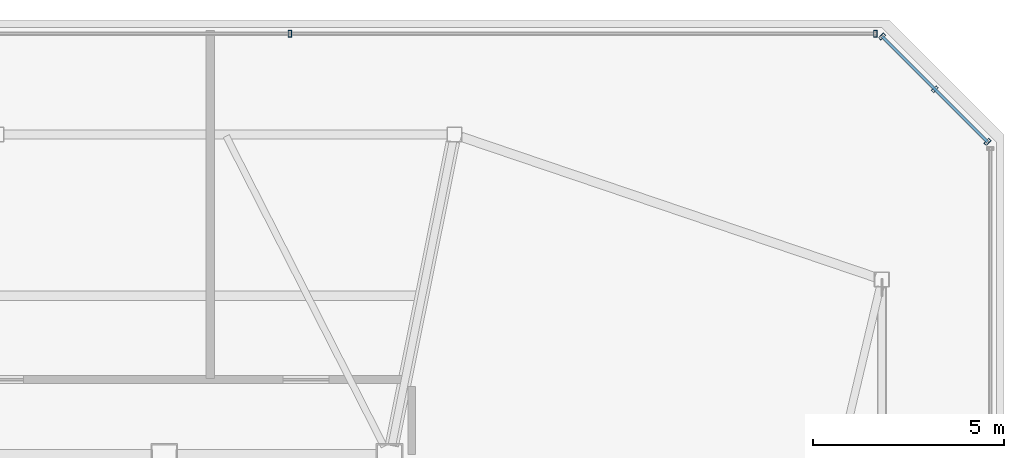
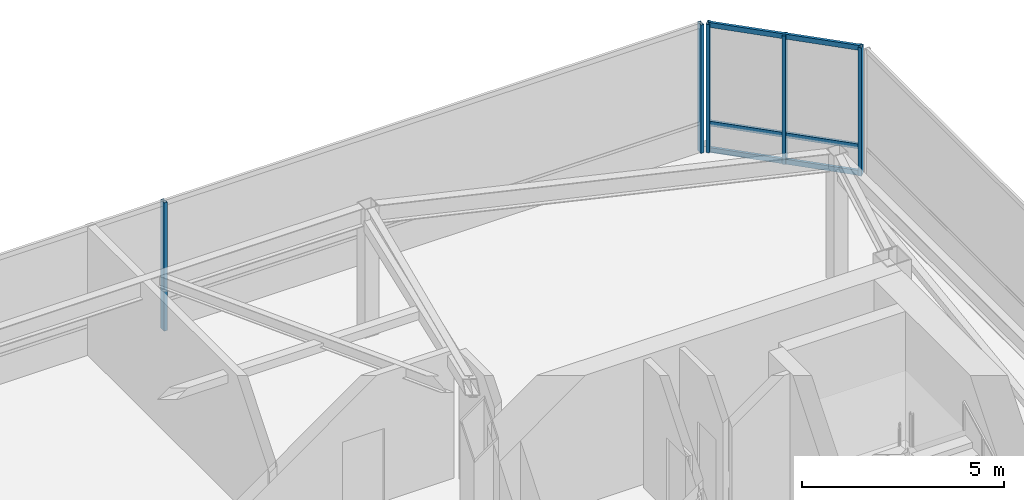
# One storey, part 16 of 22: 8 members, 2 elements without a shape of their own.
"""IFC4 building model written with IfcOpenShell, lengths in metres."""

import ifcopenshell
import ifcopenshell.guid

model = None  # the IFC model being written
_history = None  # IfcOwnerHistory: only IFC2X3 demands one
_inside = {}  # id of a spatial element -> (the spatial element, [elements in it])
_under = {}  # id of a project, library or spatial element -> (it, [spatial elements below it])
_declared = {}  # id of a project -> (the project, [libraries it declares])
_typed = {}  # id of a type object -> (the type object, [elements of that type])
_made_of = {}  # id of a material, layer set ... -> (it, [elements and type objects made of it])


def new_model(schema):
    """Start an empty IFC model of exactly this schema.

    Asked for "IFC4X3", IfcOpenShell would pick the latest addendum, in which some entities
    have other attributes; the version numbers below select the first issue.
    IFC2X3 requires an IfcOwnerHistory on every rooted entity: one is made here for all.
    """
    global model, _history
    if schema == "IFC4X3":
        model = ifcopenshell.file(schema_version=(4, 3, 0, 0))
    else:
        model = ifcopenshell.file(schema=schema)
    _inside.clear()
    _under.clear()
    _declared.clear()
    _typed.clear()
    _made_of.clear()
    _history = None
    if model.schema == "IFC2X3":
        org = make("IfcOrganization", Name="unknown")
        user = make(
            "IfcPersonAndOrganization",
            ThePerson=make("IfcPerson", FamilyName="unknown"),
            TheOrganization=org,
        )
        app = make(
            "IfcApplication",
            ApplicationDeveloper=org,
            Version="unknown",
            ApplicationFullName="unknown",
            ApplicationIdentifier="unknown",
        )
        _history = make(
            "IfcOwnerHistory",
            OwningUser=user,
            OwningApplication=app,
            ChangeAction="ADDED",
            CreationDate=0,
        )
    return model


def make(cls, **values):
    """One entity of the class cls with the attributes given. An attribute that is None is left unset."""
    return model.create_entity(
        cls, **{name: value for name, value in values.items() if value is not None}
    )


def rooted(cls, **values):
    """An entity with a GlobalId (a new one), such as an element, a storey or a relation."""
    return make(cls, GlobalId=ifcopenshell.guid.new(), OwnerHistory=_history, **values)


def si_unit(unit_type, name, prefix=None):
    """IfcSIUnit, for example si_unit("LENGTHUNIT", "METRE", prefix="MILLI")."""
    return make("IfcSIUnit", UnitType=unit_type, Prefix=prefix, Name=name)


def assignment(units):
    """IfcUnitAssignment: the units of a project."""
    return None if units is None else make("IfcUnitAssignment", Units=units)


def point(xyz):
    """IfcCartesianPoint."""
    return None if xyz is None else make("IfcCartesianPoint", Coordinates=xyz)


def direction(xyz):
    """IfcDirection."""
    return None if xyz is None else make("IfcDirection", DirectionRatios=xyz)


def frame(location, z_axis=None, x_axis=None):
    """IfcAxis2Placement3D, a coordinate frame: its origin and axes. An axis left out is left unset."""
    return make(
        "IfcAxis2Placement3D",
        Location=point(location),
        Axis=direction(z_axis),
        RefDirection=direction(x_axis),
    )


def frame_2d(location, x_axis=None):
    """IfcAxis2Placement2D, a coordinate frame in the plane: its origin and x axis."""
    return make(
        "IfcAxis2Placement2D", Location=point(location), RefDirection=direction(x_axis)
    )


def origin():
    """The frame at (0, 0, 0) with its axes left unset."""
    return frame((0.0, 0.0, 0.0))


def origin_2d():
    """The frame at (0, 0) in the plane with its x axis left unset."""
    return frame_2d((0.0, 0.0))


def place(relative_to, where):
    """IfcLocalPlacement: puts the frame where relative to a parent placement (None: the world)."""
    return make(
        "IfcLocalPlacement", PlacementRelTo=relative_to, RelativePlacement=where
    )


def context(
    kind, dimensions, precision=None, world=None, true_north=None, identifier=None
):
    """IfcGeometricRepresentationContext, for example the 3D "Model" context."""
    return make(
        "IfcGeometricRepresentationContext",
        ContextIdentifier=identifier,
        ContextType=kind,
        CoordinateSpaceDimension=dimensions,
        Precision=precision,
        WorldCoordinateSystem=world,
        TrueNorth=true_north,
    )


def subcontext(parent, identifier, kind, view, scale=None):
    """IfcGeometricRepresentationSubContext, for example "Body" below "Model"."""
    return make(
        "IfcGeometricRepresentationSubContext",
        ContextIdentifier=identifier,
        ContextType=kind,
        ParentContext=parent,
        TargetScale=scale,
        TargetView=view,
    )


def project(units=None, contexts=None):
    """IfcProject with its units and contexts."""
    return rooted(
        "IfcProject",
        Name="project",
        RepresentationContexts=contexts,
        UnitsInContext=assignment(units),
    )


def spatial(cls, under=None, at=None, **own):
    """A site, building, storey or space (cls), placed at a placement, below another one or the project."""
    s = rooted(cls, ObjectPlacement=at, **own)
    if under is not None:
        _under.setdefault(under.id(), (under, []))[1].append(s)
    return s


def profile(cls, at=None, kind="AREA", **sizes):
    """A parametric profile (cls). Its sizes go by their IFC names, for example OverallWidth=200.0."""
    return make(cls, ProfileType=kind, Position=at, **sizes)


def hollow_rectangle(**sizes):
    """IfcRectangleHollowProfileDef."""
    return profile("IfcRectangleHollowProfileDef", **sizes)


def extrude(swept, where, along, depth):
    """IfcExtrudedAreaSolid: the profile swept, set in the frame where, extruded along a direction by depth."""
    return make(
        "IfcExtrudedAreaSolid",
        SweptArea=swept,
        Position=where,
        ExtrudedDirection=direction(along),
        Depth=depth,
    )


def shape(context_of_items, identifier, shape_type, items):
    """IfcShapeRepresentation: the items that make up one representation, for example the "Body"."""
    return make(
        "IfcShapeRepresentation",
        ContextOfItems=context_of_items,
        RepresentationIdentifier=identifier,
        RepresentationType=shape_type,
        Items=items,
    )


def material(Name=None, Category=None):
    """IfcMaterial."""
    return make("IfcMaterial", Name=Name, Category=Category)


def layer(
    of_material, thickness, ventilated=None, Name=None, Category=None, Priority=None
):
    """IfcMaterialLayer: one layer of a wall or slab, of a material (None: an air gap)."""
    return make(
        "IfcMaterialLayer",
        Material=of_material,
        LayerThickness=thickness,
        IsVentilated=ventilated,
        Name=Name,
        Category=Category,
        Priority=Priority,
    )


def layer_set(layers, Name=None):
    """IfcMaterialLayerSet."""
    return make("IfcMaterialLayerSet", MaterialLayers=layers, LayerSetName=Name)


def material_profile(
    of_material, cross_section, Name=None, Category=None, Priority=None
):
    """IfcMaterialProfile: a cross section and its material."""
    return make(
        "IfcMaterialProfile",
        Name=Name,
        Material=of_material,
        Profile=cross_section,
        Priority=Priority,
        Category=Category,
    )


def profile_set(profiles, Name=None, composite=None):
    """IfcMaterialProfileSet."""
    return make(
        "IfcMaterialProfileSet",
        Name=Name,
        MaterialProfiles=profiles,
        CompositeProfile=composite,
    )


def made_of(thing, what):
    """Note that an element or type object is made of a material, layer set ...; save() writes the relation."""
    if what is not None:
        _made_of.setdefault(what.id(), (what, []))[1].append(thing)
    return thing


def type_object(cls, material=None, **own):
    """A type object (cls), such as IfcWallType, which elements share."""
    return made_of(rooted(cls, **own), material)


def element(
    cls,
    number,
    at=None,
    inside=None,
    cuts=None,
    type_object=None,
    material=None,
    context=None,
    identifier="Body",
    shape_type=None,
    held_by="IfcProductDefinitionShape",
    body=None,
    shapes=None,
    **own,
):
    """One element of the class cls, such as IfcWall. Its Tag is "e" and its number.

    at: its placement. inside: the storey or other place that contains it. cuts: it is an
    opening in that element (IfcRelVoidsElement). A single representation is given by context,
    identifier, shape_type and body (its items); several are given by shapes. held_by: the class
    of the entity that holds the representations. save() writes the other relations.
    """
    e = rooted(cls, Tag="e%d" % number, ObjectPlacement=at, **own)
    if body is not None:
        shapes = [shape(context, identifier, shape_type, body)]
    if shapes is not None:
        e.Representation = make(held_by, Representations=shapes)
    if inside is not None:
        _inside.setdefault(inside.id(), (inside, []))[1].append(e)
    if cuts is not None:
        rooted(
            "IfcRelVoidsElement", RelatingBuildingElement=cuts, RelatedOpeningElement=e
        )
    if type_object is not None:
        _typed.setdefault(type_object.id(), (type_object, []))[1].append(e)
    return made_of(e, material)


def aggregate(whole, parts):
    """IfcRelAggregates: a whole, such as a stair, and the parts it consists of."""
    return rooted("IfcRelAggregates", RelatingObject=whole, RelatedObjects=parts)


def save(model, path):
    """Write the relations noted so far, then the file.

    IfcRelAggregates (storeys below a building ...), IfcRelContainedInSpatialStructure (elements
    in a storey), IfcRelDefinesByType, IfcRelAssociatesMaterial and IfcRelDeclares: one each for
    every whole, place, type object, material and project.
    """
    for whole, parts in _under.values():
        aggregate(whole, parts)
    for where, things in _inside.values():
        rooted(
            "IfcRelContainedInSpatialStructure",
            RelatedElements=things,
            RelatingStructure=where,
        )
    for kind, things in _typed.values():
        rooted("IfcRelDefinesByType", RelatedObjects=things, RelatingType=kind)
    for what, things in _made_of.values():
        rooted("IfcRelAssociatesMaterial", RelatedObjects=things, RelatingMaterial=what)
    for by, libraries in _declared.values():
        rooted("IfcRelDeclares", RelatingContext=by, RelatedDefinitions=libraries)
    model.write(path)


model = new_model("IFC4")

# Units and contexts
model_context = context("Model", 3, precision=1e-05, world=origin(), true_north=direction((0.0, 1.0)))
body_context = subcontext(model_context, "Body", "Model", "MODEL_VIEW")
ifc_project = project(units=[si_unit("LENGTHUNIT", "METRE"), si_unit("AREAUNIT", "SQUARE_METRE"), si_unit("VOLUMEUNIT", "CUBIC_METRE"), si_unit("PLANEANGLEUNIT", "RADIAN"), si_unit("MASSUNIT", "GRAM", prefix="KILO")], contexts=[model_context])

# Site, building, storey
site_placement = place(None, origin())
site = spatial("IfcSite", under=ifc_project, at=site_placement, CompositionType="ELEMENT")
building_placement = place(site_placement, origin())
building = spatial("IfcBuilding", under=site, at=building_placement, Name="Tavrogorsk Clinical Tower", CompositionType="ELEMENT")
storey_placement = place(building_placement, frame((0.0, 0.0, 352.800048828125)))
storey = spatial("IfcBuildingStorey", under=building, at=storey_placement, Name="L82", CompositionType="ELEMENT", Elevation=352.800048828125)

# Curtain wall, members
ifc_material_1 = material(Name="Anodised aluminium and triple IGU glazing", Category="aluminium")
ifc_layer = layer(ifc_material_1, 0.179931640625)
ifc_layer_set = layer_set([ifc_layer], Name="Anodised aluminium and triple IGU glazing")
curtain_wall_type = type_object("IfcCurtainWallType", Name="CW5_SkyLobby", PredefinedType="NOTDEFINED", material=ifc_layer_set)
curtain_wall_1_placement = place(storey_placement, origin())
curtain_wall_1 = element("IfcCurtainWall", 1, at=curtain_wall_1_placement, inside=storey, type_object=curtain_wall_type, Name="L82 Curtain Wall CW-L82-DRUM-4", PredefinedType="NOTDEFINED")
ifc_material_2 = material(Name="Anodised aluminium alloy AW-6060", Category="aluminium")
ifc_material_profile_1 = material_profile(ifc_material_2, hollow_rectangle(XDim=0.090087890625, YDim=0.179931640625, WallThickness=0.00634765625, at=origin_2d()), Name="RHS-180x90x6.3")
ifc_profile_set_1 = profile_set([ifc_material_profile_1], Name="Anodised aluminium alloy AW-6060")
member_type_1 = type_object("IfcMemberType", Name="CwMullion_180x90", PredefinedType="MULLION", material=ifc_profile_set_1)
member_1_placement = place(storey_placement, frame((7.691162109375, 17.43994140625, 0.0), z_axis=(0.0, 0.0, 1.0), x_axis=(1.0, 0.0, 0.0)))
member_1 = element("IfcMember", 2, at=member_1_placement, type_object=member_type_1, Name="CW-L82-DRUM-4 Mullion 3", PredefinedType="MULLION", context=body_context, shape_type="SweptSolid", body=[
    extrude(hollow_rectangle(XDim=0.090087890625, YDim=0.179931640625, WallThickness=0.00634765625, at=origin_2d()), origin(), (0.0, 0.0, 1.0), 3.8798828125),
])
member_2_placement = place(storey_placement, frame((23.02880859375, 17.43994140625, 0.0), z_axis=(0.0, 0.0, 1.0), x_axis=(1.0, 0.0, 0.0)))
member_2 = element("IfcMember", 3, at=member_2_placement, type_object=member_type_1, Name="CW-L82-DRUM-4 Mullion 4", PredefinedType="MULLION", context=body_context, shape_type="SweptSolid", body=[
    extrude(hollow_rectangle(XDim=0.090087890625, YDim=0.179931640625, WallThickness=0.00634765625, at=origin_2d()), origin(), (0.0, 0.0, 1.0), 3.8798828125),
])
aggregate(curtain_wall_1, [member_1, member_2])

curtain_wall_2_placement = place(storey_placement, origin())
curtain_wall_2 = element("IfcCurtainWall", 4, at=curtain_wall_2_placement, inside=storey, type_object=curtain_wall_type, Name="L82 Curtain Wall CW-L82-DRUM-5", PredefinedType="NOTDEFINED")
member_3_placement = place(storey_placement, frame((23.2080078125, 17.36572265625, 0.0), z_axis=(0.0, 0.0, 1.0), x_axis=(0.707106781187, -0.707106781187, 0.0)))
member_3 = element("IfcMember", 5, at=member_3_placement, type_object=member_type_1, Name="CW-L82-DRUM-5 Mullion 1", PredefinedType="MULLION", context=body_context, shape_type="SweptSolid", body=[
    extrude(hollow_rectangle(XDim=0.090087890625, YDim=0.179931640625, WallThickness=0.00634765625, at=origin_2d()), origin(), (0.0, 0.0, 1.0), 3.8798828125),
])
member_4_placement = place(storey_placement, frame((24.5869140625, 15.98681640625, 0.0), z_axis=(0.0, 0.0, 1.0), x_axis=(0.707106781187, -0.707106781187, 0.0)))
member_4 = element("IfcMember", 6, at=member_4_placement, type_object=member_type_1, Name="CW-L82-DRUM-5 Mullion 2", PredefinedType="MULLION", context=body_context, shape_type="SweptSolid", body=[
    extrude(hollow_rectangle(XDim=0.090087890625, YDim=0.179931640625, WallThickness=0.00634765625, at=origin_2d()), origin(), (0.0, 0.0, 1.0), 3.8798828125),
])
member_5_placement = place(storey_placement, frame((25.9658203125, 14.60791015625, 0.0), z_axis=(0.0, 0.0, 1.0), x_axis=(0.707106781187, -0.707106781187, 0.0)))
member_5 = element("IfcMember", 7, at=member_5_placement, type_object=member_type_1, Name="CW-L82-DRUM-5 Mullion 3", PredefinedType="MULLION", context=body_context, shape_type="SweptSolid", body=[
    extrude(hollow_rectangle(XDim=0.090087890625, YDim=0.179931640625, WallThickness=0.00634765625, at=origin_2d()), origin(), (0.0, 0.0, 1.0), 3.8798828125),
])
ifc_material_3 = material(Name="Anodised aluminium alloy AW-6060", Category="aluminium")
ifc_material_profile_2 = material_profile(ifc_material_3, hollow_rectangle(XDim=0.074951171875, YDim=0.14990234375, WallThickness=0.0048828125, at=origin_2d()), Name="RHS-150x75x5")
ifc_profile_set_2 = profile_set([ifc_material_profile_2], Name="Anodised aluminium alloy AW-6060")
member_type_2 = type_object("IfcMemberType", Name="CwTransom_150x75", PredefinedType="USERDEFINED", material=ifc_profile_set_2)
member_6_placement = place(storey_placement, frame((23.2080078125, 17.36572265625, 0.050048828125), z_axis=(0.707106781187, -0.707106781187, 0.0), x_axis=(0.707106781187, 0.707106781187, 0.0)))
member_6 = element("IfcMember", 8, at=member_6_placement, type_object=member_type_2, Name="CW-L82-DRUM-5 Transom 1", ObjectType="TRANSOM", PredefinedType="USERDEFINED", context=body_context, shape_type="SweptSolid", body=[
    extrude(hollow_rectangle(XDim=0.074951171875, YDim=0.14990234375, WallThickness=0.0048828125, at=origin_2d()), origin(), (0.0, 0.0, 1.0), 3.900146484375),
])
member_7_placement = place(storey_placement, frame((23.2080078125, 17.36572265625, 0.849853515625), z_axis=(0.707106781187, -0.707106781187, 0.0), x_axis=(0.707106781187, 0.707106781187, 0.0)))
member_7 = element("IfcMember", 9, at=member_7_placement, type_object=member_type_2, Name="CW-L82-DRUM-5 Transom 2", ObjectType="TRANSOM", PredefinedType="USERDEFINED", context=body_context, shape_type="SweptSolid", body=[
    extrude(hollow_rectangle(XDim=0.074951171875, YDim=0.14990234375, WallThickness=0.0048828125, at=origin_2d()), origin(), (0.0, 0.0, 1.0), 3.900146484375),
])
member_8_placement = place(storey_placement, frame((23.2080078125, 17.36572265625, 3.829833984375), z_axis=(0.707106781187, -0.707106781187, 0.0), x_axis=(0.707106781187, 0.707106781187, 0.0)))
member_8 = element("IfcMember", 10, at=member_8_placement, type_object=member_type_2, Name="CW-L82-DRUM-5 Transom 3", ObjectType="TRANSOM", PredefinedType="USERDEFINED", context=body_context, shape_type="SweptSolid", body=[
    extrude(hollow_rectangle(XDim=0.074951171875, YDim=0.14990234375, WallThickness=0.0048828125, at=origin_2d()), origin(), (0.0, 0.0, 1.0), 3.900146484375),
])
aggregate(curtain_wall_2, [member_3, member_4, member_5, member_6, member_7, member_8])

save(model, "model.ifc")
